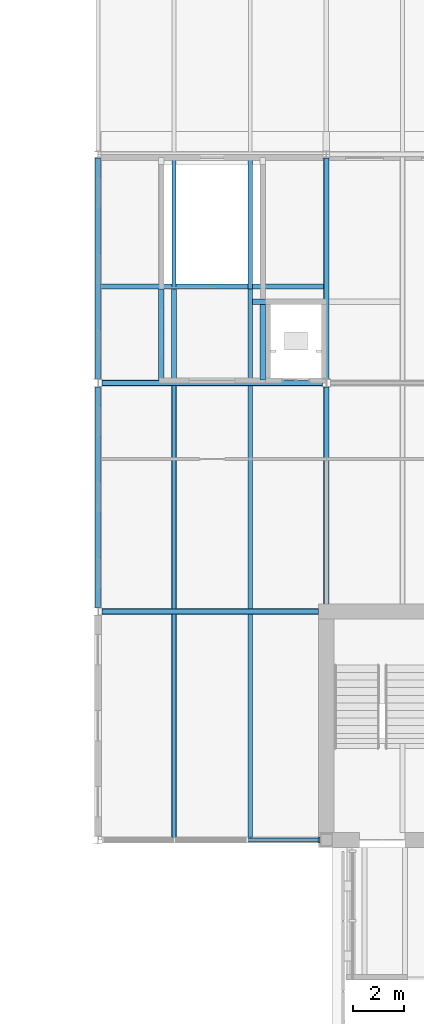
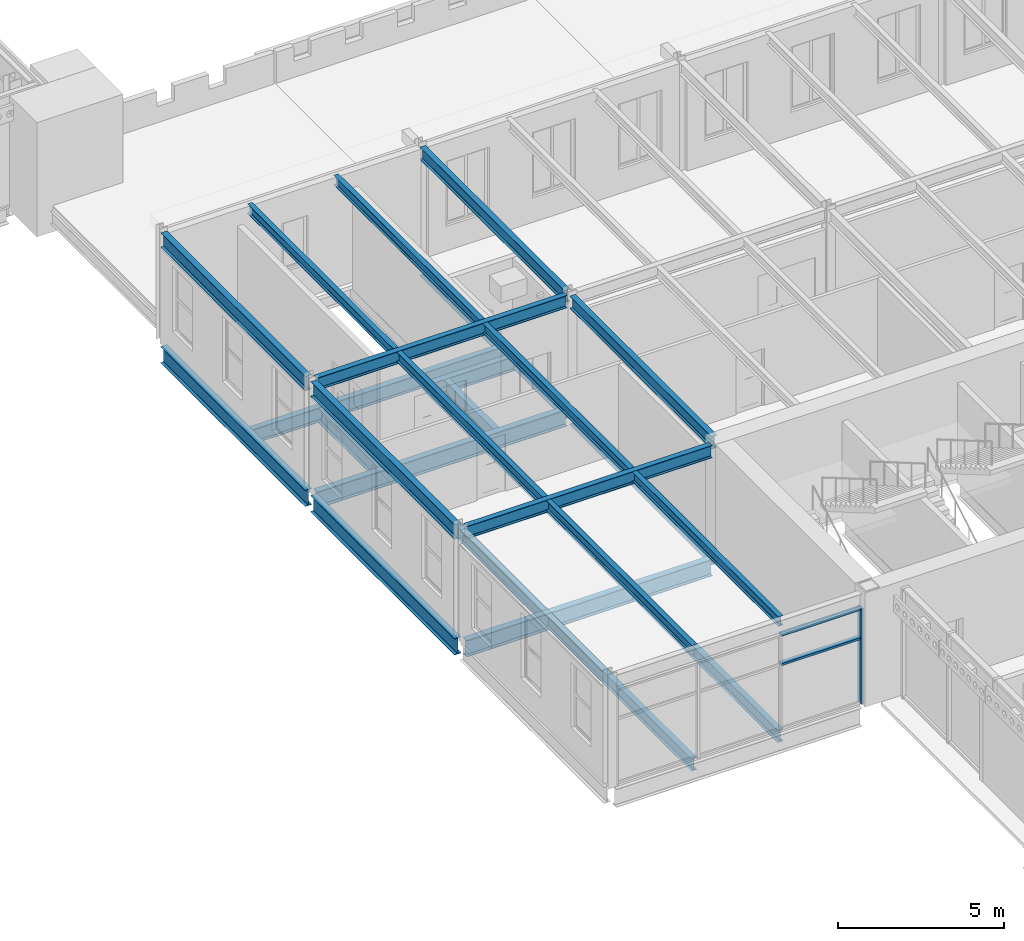
# One storey, part 29 of 123: 28 beams, 3 members, 1 element without a shape of its own.
"""IFC4 building model written with IfcOpenShell, lengths in metres."""

from ifc_helpers import new_model, si_unit, direction, frame, origin, origin_2d, place, context, subcontext, project, spatial, rectangle, i_section, extrude, material, material_profile, profile_set, type_object, element, aggregate, save


model = new_model("IFC4")

# Units and contexts
model_context = context("Model", 3, precision=1e-05, world=origin(), true_north=direction((0.0, 1.0)))
body_context = subcontext(model_context, "Body", "Model", "MODEL_VIEW")
ifc_project = project(units=[si_unit("LENGTHUNIT", "METRE"), si_unit("AREAUNIT", "SQUARE_METRE"), si_unit("VOLUMEUNIT", "CUBIC_METRE"), si_unit("PLANEANGLEUNIT", "RADIAN"), si_unit("MASSUNIT", "GRAM", prefix="KILO")], contexts=[model_context])

# Site, building, storey
site_placement = place(None, origin())
site = spatial("IfcSite", under=ifc_project, at=site_placement, CompositionType="ELEMENT")
building_placement = place(site_placement, origin())
building = spatial("IfcBuilding", under=site, at=building_placement, Name="Baradari Gate Terminus", CompositionType="ELEMENT")
storey_placement = place(building_placement, frame((0.0, 0.0, 7.5)))
storey = spatial("IfcBuildingStorey", under=building, at=storey_placement, Name="L01", CompositionType="ELEMENT", Elevation=7.5)

# Curtain wall, members
ifc_material_1 = material(Name="Aluminium 6063-T6", Category="aluminium")
curtain_wall_type = type_object("IfcCurtainWallType", Name="Curtain wall CW-13 concourse gallery glazing", PredefinedType="NOTDEFINED", material=ifc_material_1)
curtain_wall_placement = place(storey_placement, origin())
curtain_wall = element("IfcCurtainWall", 1, at=curtain_wall_placement, inside=storey, type_object=curtain_wall_type, Name="Glazed curtain wall CW-13 HS bay 8 L01", PredefinedType="NOTDEFINED")
ifc_material_2 = material(Name="Aluminium 6063-T6", Category="aluminium")
ifc_material_profile_1 = material_profile(ifc_material_2, rectangle(XDim=0.22509765625, YDim=0.080078125, at=origin_2d()), Name="CM-13 80X225")
ifc_profile_set_1 = profile_set([ifc_material_profile_1], Name="Aluminium 6063-T6")
member_type_1 = type_object("IfcMemberType", Name="Curtain wall mullion CM-13 80x225", PredefinedType="MULLION", material=ifc_profile_set_1)
member_1_placement = place(storey_placement, frame((71.7099609375, 81.0, 0.0), z_axis=(0.0, 0.0, 1.0), x_axis=(0.0, 1.0, 0.0)))
member_1 = element("IfcMember", 2, at=member_1_placement, type_object=member_type_1, Name="CW-13 mullion 4", PredefinedType="MULLION", context=body_context, shape_type="SweptSolid", body=[
    extrude(rectangle(XDim=0.22509765625, YDim=0.080078125, at=origin_2d()), origin(), (0.0, 0.0, 1.0), 3.516845703125),
])
ifc_material_3 = material(Name="Aluminium 6063-T6", Category="aluminium")
ifc_material_profile_2 = material_profile(ifc_material_3, rectangle(XDim=0.159912109375, YDim=0.080078125, at=origin_2d()), Name="CT-13 80X160")
ifc_profile_set_2 = profile_set([ifc_material_profile_2], Name="Aluminium 6063-T6")
member_type_2 = type_object("IfcMemberType", Name="Curtain wall transom CT-13 80x160", PredefinedType="USERDEFINED", material=ifc_profile_set_2)
member_2_placement = place(storey_placement, frame((68.924560546875, 81.0, 2.39990234375), z_axis=(1.0, 0.0, 0.0), x_axis=(0.0, 1.0, 0.0)))
member_2 = element("IfcMember", 3, at=member_2_placement, type_object=member_type_2, Name="CW-13 transom 3.2", ObjectType="TRANSOM", PredefinedType="USERDEFINED", context=body_context, shape_type="SweptSolid", body=[
    extrude(rectangle(XDim=0.159912109375, YDim=0.080078125, at=origin_2d()), origin(), (0.0, 0.0, 1.0), 2.745361328125),
])
member_3_placement = place(storey_placement, frame((68.924560546875, 81.0, 3.476806640625), z_axis=(1.0, 0.0, 0.0), x_axis=(0.0, 1.0, 0.0)))
member_3 = element("IfcMember", 4, at=member_3_placement, type_object=member_type_2, Name="CW-13 transom 3.3", ObjectType="TRANSOM", PredefinedType="USERDEFINED", context=body_context, shape_type="SweptSolid", body=[
    extrude(rectangle(XDim=0.159912109375, YDim=0.080078125, at=origin_2d()), origin(), (0.0, 0.0, 1.0), 2.745361328125),
])
aggregate(curtain_wall, [member_1, member_2, member_3])

# Beams
ifc_material_4 = material(Name="Steel S355", Category="steel")
ifc_material_profile_3 = material_profile(ifc_material_4, i_section(OverallWidth=0.210693359375, OverallDepth=0.53955078125, WebThickness=0.01171875, FlangeThickness=0.018798828125, FilletRadius=0.0126953125, at=origin_2d()), Name="UB 533x210x109")
ifc_profile_set_3 = profile_set([ifc_material_profile_3], Name="Steel S355")
beam_type_1 = type_object("IfcBeamType", Name="Head-house cross girder B12 UB 533x210x109", PredefinedType="BEAM", material=ifc_profile_set_3)
beam_1_placement = place(storey_placement, frame((72.0, 90.300048828125, -0.399658203125), z_axis=(0.0, 1.0, 0.0), x_axis=(-1.0, 0.0, 0.0)))
element("IfcBeam", 5, at=beam_1_placement, inside=storey, type_object=beam_type_1, Name="Head-house cross girder B12 9:90.3-98.843 L01", PredefinedType="BEAM", context=body_context, shape_type="SweptSolid", body=[
    extrude(i_section(OverallWidth=0.210693359375, OverallDepth=0.53955078125, WebThickness=0.01171875, FlangeThickness=0.018798828125, FilletRadius=0.0126953125, at=origin_2d()), origin(), (0.0, 0.0, 1.0), 8.542724609375),
])
beam_2_placement = place(storey_placement, frame((72.0, 99.1572265625, -0.399658203125), z_axis=(0.0, 1.0, 0.0), x_axis=(-1.0, 0.0, 0.0)))
element("IfcBeam", 6, at=beam_2_placement, inside=storey, type_object=beam_type_1, Name="Head-house cross girder B12 9:99.157-107.87 L01", PredefinedType="BEAM", context=body_context, shape_type="SweptSolid", body=[
    extrude(i_section(OverallWidth=0.210693359375, OverallDepth=0.53955078125, WebThickness=0.01171875, FlangeThickness=0.018798828125, FilletRadius=0.0126953125, at=origin_2d()), origin(), (0.0, 0.0, 1.0), 8.712646484375),
])
ifc_material_5 = material(Name="Steel S355", Category="steel")
ifc_material_profile_4 = material_profile(ifc_material_5, i_section(OverallWidth=0.2275390625, OverallDepth=0.6025390625, WebThickness=0.010498046875, FlangeThickness=0.014892578125, FilletRadius=0.0126953125, at=origin_2d()), Name="UB 610x229x101")
ifc_profile_set_4 = profile_set([ifc_material_profile_4], Name="Steel S355")
beam_type_2 = type_object("IfcBeamType", Name="Head-house end girder B13 UB 610x229x101", PredefinedType="BEAM", material=ifc_profile_set_4)
beam_3_placement = place(storey_placement, frame((63.0, 90.1572265625, -0.431396484375), z_axis=(0.0, 1.0, 0.0), x_axis=(-1.0, 0.0, 0.0)))
element("IfcBeam", 7, at=beam_3_placement, inside=storey, type_object=beam_type_2, Name="Head-house end girder B13 8:90.157-98.843 L01", PredefinedType="BEAM", context=body_context, shape_type="SweptSolid", body=[
    extrude(i_section(OverallWidth=0.2275390625, OverallDepth=0.6025390625, WebThickness=0.010498046875, FlangeThickness=0.014892578125, FilletRadius=0.0126953125, at=origin_2d()), origin(), (0.0, 0.0, 1.0), 8.685546875),
])
beam_4_placement = place(storey_placement, frame((63.0, 99.1572265625, -0.431396484375), z_axis=(0.0, 1.0, 0.0), x_axis=(-1.0, 0.0, 0.0)))
element("IfcBeam", 8, at=beam_4_placement, inside=storey, type_object=beam_type_2, Name="Head-house end girder B13 8:99.157-107.87 L01", PredefinedType="BEAM", context=body_context, shape_type="SweptSolid", body=[
    extrude(i_section(OverallWidth=0.2275390625, OverallDepth=0.6025390625, WebThickness=0.010498046875, FlangeThickness=0.014892578125, FilletRadius=0.0126953125, at=origin_2d()), origin(), (0.0, 0.0, 1.0), 8.712646484375),
])
ifc_material_6 = material(Name="Steel S355", Category="steel")
ifc_material_profile_5 = material_profile(ifc_material_6, i_section(OverallWidth=0.22900390625, OverallDepth=0.6123046875, WebThickness=0.011962890625, FlangeThickness=0.01953125, FilletRadius=0.0126953125, at=origin_2d()), Name="UB 610x229x125")
ifc_profile_set_5 = profile_set([ifc_material_profile_5], Name="Steel S355")
beam_type_3 = type_object("IfcBeamType", Name="Head-house girder B09 UB 610x229x125", PredefinedType="BEAM", material=ifc_profile_set_5)
beam_5_placement = place(storey_placement, frame((63.15380859375, 90.0, -0.43603515625), z_axis=(1.0, 0.0, 0.0), x_axis=(0.0, 1.0, 0.0)))
element("IfcBeam", 9, at=beam_5_placement, inside=storey, type_object=beam_type_3, Name="Head-house girder B09 L:63.154-71.7 L01", PredefinedType="BEAM", context=body_context, shape_type="SweptSolid", body=[
    extrude(i_section(OverallWidth=0.22900390625, OverallDepth=0.6123046875, WebThickness=0.011962890625, FlangeThickness=0.01953125, FilletRadius=0.0126953125, at=origin_2d()), origin(), (0.0, 0.0, 1.0), 8.546142578125),
])
beam_6_placement = place(storey_placement, frame((63.15380859375, 99.0, -0.43603515625), z_axis=(1.0, 0.0, 0.0), x_axis=(0.0, 1.0, 0.0)))
element("IfcBeam", 10, at=beam_6_placement, inside=storey, type_object=beam_type_3, Name="Head-house girder B09 M:63.154-71.846 L01", PredefinedType="BEAM", context=body_context, shape_type="SweptSolid", body=[
    extrude(i_section(OverallWidth=0.22900390625, OverallDepth=0.6123046875, WebThickness=0.011962890625, FlangeThickness=0.01953125, FilletRadius=0.0126953125, at=origin_2d()), origin(), (0.0, 0.0, 1.0), 8.6923828125),
])
ifc_material_7 = material(Name="Steel S355", Category="steel")
ifc_material_profile_6 = material_profile(ifc_material_7, i_section(OverallWidth=0.1904296875, OverallDepth=0.45703125, WebThickness=0.009033203125, FlangeThickness=0.014404296875, FilletRadius=0.01025390625, at=origin_2d()), Name="UB 457x191x74")
ifc_profile_set_6 = profile_set([ifc_material_profile_6], Name="Steel S355")
beam_type_4 = type_object("IfcBeamType", Name="Head-house roof cross girder B51 UB 457x191x74", PredefinedType="BEAM", material=ifc_profile_set_6)
beam_7_placement = place(storey_placement, frame((72.0, 90.300048828125, 3.821533203125), z_axis=(0.0, 1.0, 0.0), x_axis=(-1.0, 0.0, 0.0)))
element("IfcBeam", 11, at=beam_7_placement, inside=storey, type_object=beam_type_4, Name="Head-house roof cross girder B51 9:90.3-98.843 L01", PredefinedType="BEAM", context=body_context, shape_type="SweptSolid", body=[
    extrude(i_section(OverallWidth=0.1904296875, OverallDepth=0.45703125, WebThickness=0.009033203125, FlangeThickness=0.014404296875, FilletRadius=0.01025390625, at=origin_2d()), origin(), (0.0, 0.0, 1.0), 8.542724609375),
])
beam_8_placement = place(storey_placement, frame((72.0, 99.1572265625, 3.821533203125), z_axis=(0.0, 1.0, 0.0), x_axis=(-1.0, 0.0, 0.0)))
element("IfcBeam", 12, at=beam_8_placement, inside=storey, type_object=beam_type_4, Name="Head-house roof cross girder B51 9:99.157-107.87 L01", PredefinedType="BEAM", context=body_context, shape_type="SweptSolid", body=[
    extrude(i_section(OverallWidth=0.1904296875, OverallDepth=0.45703125, WebThickness=0.009033203125, FlangeThickness=0.014404296875, FilletRadius=0.01025390625, at=origin_2d()), origin(), (0.0, 0.0, 1.0), 8.712646484375),
])
ifc_material_8 = material(Name="Steel S355", Category="steel")
ifc_material_profile_7 = material_profile(ifc_material_8, i_section(OverallWidth=0.209228515625, OverallDepth=0.533203125, WebThickness=0.010009765625, FlangeThickness=0.015625, FilletRadius=0.0126953125, at=origin_2d()), Name="UB 533x210x92")
ifc_profile_set_7 = profile_set([ifc_material_profile_7], Name="Steel S355")
beam_type_5 = type_object("IfcBeamType", Name="Head-house roof edge girder B48 UB 533x210x92", PredefinedType="BEAM", material=ifc_profile_set_7)
beam_9_placement = place(storey_placement, frame((63.0, 90.1572265625, 3.783447265625), z_axis=(0.0, 1.0, 0.0), x_axis=(-1.0, 0.0, 0.0)))
element("IfcBeam", 13, at=beam_9_placement, inside=storey, type_object=beam_type_5, Name="Head-house roof edge girder B48 8:90.157-98.843 L01", PredefinedType="BEAM", context=body_context, shape_type="SweptSolid", body=[
    extrude(i_section(OverallWidth=0.209228515625, OverallDepth=0.533203125, WebThickness=0.010009765625, FlangeThickness=0.015625, FilletRadius=0.0126953125, at=origin_2d()), origin(), (0.0, 0.0, 1.0), 8.685546875),
])
beam_10_placement = place(storey_placement, frame((63.0, 99.1572265625, 3.783447265625), z_axis=(0.0, 1.0, 0.0), x_axis=(-1.0, 0.0, 0.0)))
element("IfcBeam", 14, at=beam_10_placement, inside=storey, type_object=beam_type_5, Name="Head-house roof edge girder B48 8:99.157-107.87 L01", PredefinedType="BEAM", context=body_context, shape_type="SweptSolid", body=[
    extrude(i_section(OverallWidth=0.209228515625, OverallDepth=0.533203125, WebThickness=0.010009765625, FlangeThickness=0.015625, FilletRadius=0.0126953125, at=origin_2d()), origin(), (0.0, 0.0, 1.0), 8.712646484375),
])
ifc_material_9 = material(Name="Steel S355", Category="steel")
ifc_material_profile_8 = material_profile(ifc_material_9, i_section(OverallWidth=0.19140625, OverallDepth=0.4599609375, WebThickness=0.010009765625, FlangeThickness=0.01611328125, FilletRadius=0.01025390625, at=origin_2d()), Name="UB 457x191x82")
ifc_profile_set_8 = profile_set([ifc_material_profile_8], Name="Steel S355")
beam_type_6 = type_object("IfcBeamType", Name="Head-house roof girder B49 UB 457x191x82", PredefinedType="BEAM", material=ifc_profile_set_8)
beam_11_placement = place(storey_placement, frame((63.15380859375, 90.0, 3.820068359375), z_axis=(1.0, 0.0, 0.0), x_axis=(0.0, 1.0, 0.0)))
element("IfcBeam", 15, at=beam_11_placement, inside=storey, type_object=beam_type_6, Name="Head-house roof girder B49 L:63.154-71.7 L01", PredefinedType="BEAM", context=body_context, shape_type="SweptSolid", body=[
    extrude(i_section(OverallWidth=0.19140625, OverallDepth=0.4599609375, WebThickness=0.010009765625, FlangeThickness=0.01611328125, FilletRadius=0.01025390625, at=origin_2d()), origin(), (0.0, 0.0, 1.0), 8.546142578125),
])
beam_12_placement = place(storey_placement, frame((63.15380859375, 99.0, 3.820068359375), z_axis=(1.0, 0.0, 0.0), x_axis=(0.0, 1.0, 0.0)))
element("IfcBeam", 16, at=beam_12_placement, inside=storey, type_object=beam_type_6, Name="Head-house roof girder B49 M:63.154-71.846 L01", PredefinedType="BEAM", context=body_context, shape_type="SweptSolid", body=[
    extrude(i_section(OverallWidth=0.19140625, OverallDepth=0.4599609375, WebThickness=0.010009765625, FlangeThickness=0.01611328125, FilletRadius=0.01025390625, at=origin_2d()), origin(), (0.0, 0.0, 1.0), 8.6923828125),
])
ifc_material_10 = material(Name="Steel S355", Category="steel")
ifc_material_profile_9 = material_profile(ifc_material_10, i_section(OverallWidth=0.17138671875, OverallDepth=0.35498046875, WebThickness=0.00732421875, FlangeThickness=0.011474609375, FilletRadius=0.01025390625, at=origin_2d()), Name="UB 356x171x51")
ifc_profile_set_9 = profile_set([ifc_material_profile_9], Name="Steel S355")
beam_type_7 = type_object("IfcBeamType", Name="Head-house roof secondary beam B50 UB 356x171x51", PredefinedType="BEAM", material=ifc_profile_set_9)
beam_13_placement = place(storey_placement, frame((66.0, 81.104736328125, 3.87255859375), z_axis=(0.0, 1.0, 0.0), x_axis=(-1.0, 0.0, 0.0)))
element("IfcBeam", 17, at=beam_13_placement, inside=storey, type_object=beam_type_7, Name="Head-house roof secondary beam B50 66:81.105-89.904 L01", PredefinedType="BEAM", context=body_context, shape_type="SweptSolid", body=[
    extrude(i_section(OverallWidth=0.17138671875, OverallDepth=0.35498046875, WebThickness=0.00732421875, FlangeThickness=0.011474609375, FilletRadius=0.01025390625, at=origin_2d()), origin(), (0.0, 0.0, 1.0), 8.799560546875),
])
beam_14_placement = place(storey_placement, frame((66.0, 90.095703125, 3.87255859375), z_axis=(0.0, 1.0, 0.0), x_axis=(-1.0, 0.0, 0.0)))
element("IfcBeam", 18, at=beam_14_placement, inside=storey, type_object=beam_type_7, Name="Head-house roof secondary beam B50 66:90.096-98.904 L01", PredefinedType="BEAM", context=body_context, shape_type="SweptSolid", body=[
    extrude(i_section(OverallWidth=0.17138671875, OverallDepth=0.35498046875, WebThickness=0.00732421875, FlangeThickness=0.011474609375, FilletRadius=0.01025390625, at=origin_2d()), origin(), (0.0, 0.0, 1.0), 8.80859375),
])
for number, where, z_axis, x_axis, name in (
    (19, (66.0, 99.095703125, 3.87255859375), (0.0, 1.0, 0.0), (-1.0, 0.0, 0.0), "Head-house roof secondary beam B50 66:99.096-107.895 L01"),
    (20, (69.0, 81.104736328125, 3.87255859375), (0.0, 1.0, 0.0), (-1.0, 0.0, 0.0), "Head-house roof secondary beam B50 69:81.105-89.904 L01"),
):
    element("IfcBeam", number, at=place(storey_placement, frame(where, z_axis=z_axis, x_axis=x_axis)), inside=storey, type_object=beam_type_7, Name=name, PredefinedType="BEAM", context=body_context, shape_type="SweptSolid", body=[
        extrude(i_section(OverallWidth=0.17138671875, OverallDepth=0.35498046875, WebThickness=0.00732421875, FlangeThickness=0.011474609375, FilletRadius=0.01025390625, at=origin_2d()), origin(), (0.0, 0.0, 1.0), 8.799560546875),
    ])
beam_15_placement = place(storey_placement, frame((69.0, 90.095703125, 3.87255859375), z_axis=(0.0, 1.0, 0.0), x_axis=(-1.0, 0.0, 0.0)))
element("IfcBeam", 21, at=beam_15_placement, inside=storey, type_object=beam_type_7, Name="Head-house roof secondary beam B50 69:90.096-98.904 L01", PredefinedType="BEAM", context=body_context, shape_type="SweptSolid", body=[
    extrude(i_section(OverallWidth=0.17138671875, OverallDepth=0.35498046875, WebThickness=0.00732421875, FlangeThickness=0.011474609375, FilletRadius=0.01025390625, at=origin_2d()), origin(), (0.0, 0.0, 1.0), 8.80859375),
])
beam_16_placement = place(storey_placement, frame((69.0, 99.095703125, 3.87255859375), z_axis=(0.0, 1.0, 0.0), x_axis=(-1.0, 0.0, 0.0)))
element("IfcBeam", 22, at=beam_16_placement, inside=storey, type_object=beam_type_7, Name="Head-house roof secondary beam B50 69:99.096-107.895 L01", PredefinedType="BEAM", context=body_context, shape_type="SweptSolid", body=[
    extrude(i_section(OverallWidth=0.17138671875, OverallDepth=0.35498046875, WebThickness=0.00732421875, FlangeThickness=0.011474609375, FilletRadius=0.01025390625, at=origin_2d()), origin(), (0.0, 0.0, 1.0), 8.799560546875),
])
ifc_material_11 = material(Name="Steel S355", Category="steel")
ifc_material_profile_10 = material_profile(ifc_material_11, i_section(OverallWidth=0.18994140625, OverallDepth=0.453369140625, WebThickness=0.008544921875, FlangeThickness=0.0126953125, FilletRadius=0.01025390625, at=origin_2d()), Name="UB 457x191x67")
ifc_profile_set_10 = profile_set([ifc_material_profile_10], Name="Steel S355")
beam_type_8 = type_object("IfcBeamType", Name="Head-house secondary beam B11 UB 457x191x67", PredefinedType="BEAM", material=ifc_profile_set_10)
beam_17_placement = place(storey_placement, frame((66.0, 81.12646484375, -0.356689453125), z_axis=(0.0, 1.0, 0.0), x_axis=(-1.0, 0.0, 0.0)))
element("IfcBeam", 23, at=beam_17_placement, inside=storey, type_object=beam_type_8, Name="Head-house secondary beam B11 66:81.126-89.885 L01", PredefinedType="BEAM", context=body_context, shape_type="SweptSolid", body=[
    extrude(i_section(OverallWidth=0.18994140625, OverallDepth=0.453369140625, WebThickness=0.008544921875, FlangeThickness=0.0126953125, FilletRadius=0.01025390625, at=origin_2d()), origin(), (0.0, 0.0, 1.0), 8.759033203125),
])
beam_18_placement = place(storey_placement, frame((66.0, 90.114501953125, -0.356689453125), z_axis=(0.0, 1.0, 0.0), x_axis=(-1.0, 0.0, 0.0)))
element("IfcBeam", 24, at=beam_18_placement, inside=storey, type_object=beam_type_8, Name="Head-house secondary beam B11 66:90.115-98.885 L01", PredefinedType="BEAM", context=body_context, shape_type="SweptSolid", body=[
    extrude(i_section(OverallWidth=0.18994140625, OverallDepth=0.453369140625, WebThickness=0.008544921875, FlangeThickness=0.0126953125, FilletRadius=0.01025390625, at=origin_2d()), origin(), (0.0, 0.0, 1.0), 8.77099609375),
])
beam_19_placement = place(storey_placement, frame((66.0, 99.114501953125, -0.356689453125), z_axis=(0.0, 1.0, 0.0), x_axis=(-1.0, 0.0, 0.0)))
element("IfcBeam", 25, at=beam_19_placement, inside=storey, type_object=beam_type_8, Name="Head-house secondary beam B11 66:99.115-102.695 L01", PredefinedType="BEAM", context=body_context, shape_type="SweptSolid", body=[
    extrude(i_section(OverallWidth=0.18994140625, OverallDepth=0.453369140625, WebThickness=0.008544921875, FlangeThickness=0.0126953125, FilletRadius=0.01025390625, at=origin_2d()), origin(), (0.0, 0.0, 1.0), 3.580810546875),
])
beam_20_placement = place(storey_placement, frame((69.0, 81.12646484375, -0.356689453125), z_axis=(0.0, 1.0, 0.0), x_axis=(-1.0, 0.0, 0.0)))
element("IfcBeam", 26, at=beam_20_placement, inside=storey, type_object=beam_type_8, Name="Head-house secondary beam B11 69:81.126-89.885 L01", PredefinedType="BEAM", context=body_context, shape_type="SweptSolid", body=[
    extrude(i_section(OverallWidth=0.18994140625, OverallDepth=0.453369140625, WebThickness=0.008544921875, FlangeThickness=0.0126953125, FilletRadius=0.01025390625, at=origin_2d()), origin(), (0.0, 0.0, 1.0), 8.759033203125),
])
beam_21_placement = place(storey_placement, frame((69.0, 90.114501953125, -0.356689453125), z_axis=(0.0, 1.0, 0.0), x_axis=(-1.0, 0.0, 0.0)))
element("IfcBeam", 27, at=beam_21_placement, inside=storey, type_object=beam_type_8, Name="Head-house secondary beam B11 69:90.115-98.885 L01", PredefinedType="BEAM", context=body_context, shape_type="SweptSolid", body=[
    extrude(i_section(OverallWidth=0.18994140625, OverallDepth=0.453369140625, WebThickness=0.008544921875, FlangeThickness=0.0126953125, FilletRadius=0.01025390625, at=origin_2d()), origin(), (0.0, 0.0, 1.0), 8.77099609375),
])
beam_22_placement = place(storey_placement, frame((69.0, 99.114501953125, -0.356689453125), z_axis=(0.0, 1.0, 0.0), x_axis=(-1.0, 0.0, 0.0)))
element("IfcBeam", 28, at=beam_22_placement, inside=storey, type_object=beam_type_8, Name="Head-house secondary beam B11 69:99.115-102.695 L01", PredefinedType="BEAM", context=body_context, shape_type="SweptSolid", body=[
    extrude(i_section(OverallWidth=0.18994140625, OverallDepth=0.453369140625, WebThickness=0.008544921875, FlangeThickness=0.0126953125, FilletRadius=0.01025390625, at=origin_2d()), origin(), (0.0, 0.0, 1.0), 3.580810546875),
])
ifc_material_12 = material(Name="Steel S355", Category="steel")
ifc_material_profile_11 = material_profile(ifc_material_12, i_section(OverallWidth=0.209228515625, OverallDepth=0.533203125, WebThickness=0.010009765625, FlangeThickness=0.015625, FilletRadius=0.0126953125, at=origin_2d()), Name="UB 533x210x92")
ifc_profile_set_11 = profile_set([ifc_material_profile_11], Name="Steel S355")
beam_type_9 = type_object("IfcBeamType", Name="Head-house trimmer beam B08 UB 533x210x92", PredefinedType="BEAM", material=ifc_profile_set_11)
beam_23_placement = place(storey_placement, frame((63.11376953125, 102.800048828125, -0.396484375), z_axis=(1.0, 0.0, 0.0), x_axis=(0.0, 1.0, 0.0)))
element("IfcBeam", 29, at=beam_23_placement, inside=storey, type_object=beam_type_9, Name="Head-house trimmer beam B08 102.8:63.114-71.895 L01", PredefinedType="BEAM", context=body_context, shape_type="SweptSolid", body=[
    extrude(i_section(OverallWidth=0.209228515625, OverallDepth=0.533203125, WebThickness=0.010009765625, FlangeThickness=0.015625, FilletRadius=0.0126953125, at=origin_2d()), origin(), (0.0, 0.0, 1.0), 8.78076171875),
])
beam_24_placement = place(storey_placement, frame((69.5, 99.114501953125, -0.396484375), z_axis=(0.0, 1.0, 0.0), x_axis=(-1.0, 0.0, 0.0)))
element("IfcBeam", 30, at=beam_24_placement, inside=storey, type_object=beam_type_9, Name="Head-house trimmer beam B08 69.5:99.115-102.095 L01", PredefinedType="BEAM", context=body_context, shape_type="SweptSolid", body=[
    extrude(i_section(OverallWidth=0.209228515625, OverallDepth=0.533203125, WebThickness=0.010009765625, FlangeThickness=0.015625, FilletRadius=0.0126953125, at=origin_2d()), origin(), (0.0, 0.0, 1.0), 2.980712890625),
])
beam_25_placement = place(storey_placement, frame((69.094970703125, 102.199951171875, -0.396484375), z_axis=(1.0, 0.0, 0.0), x_axis=(0.0, 1.0, 0.0)))
element("IfcBeam", 31, at=beam_25_placement, inside=storey, type_object=beam_type_9, Name="Head-house trimmer beam B08 102.2:69.095-71.895 L01", PredefinedType="BEAM", context=body_context, shape_type="SweptSolid", body=[
    extrude(i_section(OverallWidth=0.209228515625, OverallDepth=0.533203125, WebThickness=0.010009765625, FlangeThickness=0.015625, FilletRadius=0.0126953125, at=origin_2d()), origin(), (0.0, 0.0, 1.0), 2.799560546875),
])
beam_26_placement = place(storey_placement, frame((65.4951171875, 99.114501953125, -0.396484375), z_axis=(0.0, 1.0, 0.0), x_axis=(-1.0, 0.0, 0.0)))
element("IfcBeam", 32, at=beam_26_placement, inside=storey, type_object=beam_type_9, Name="Head-house trimmer beam B08 65.495:99.115-102.695 L01", PredefinedType="BEAM", context=body_context, shape_type="SweptSolid", body=[
    extrude(i_section(OverallWidth=0.209228515625, OverallDepth=0.533203125, WebThickness=0.010009765625, FlangeThickness=0.015625, FilletRadius=0.0126953125, at=origin_2d()), origin(), (0.0, 0.0, 1.0), 3.580810546875),
])

save(model, "model.ifc")
